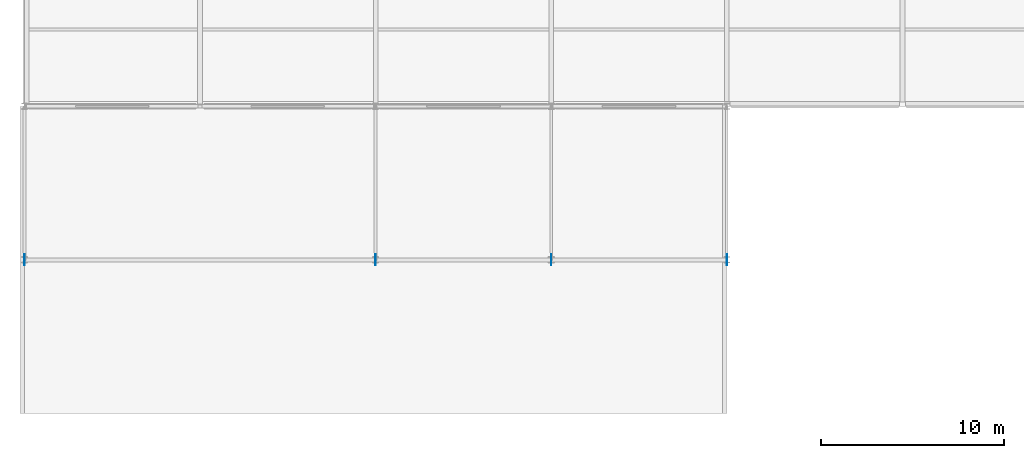
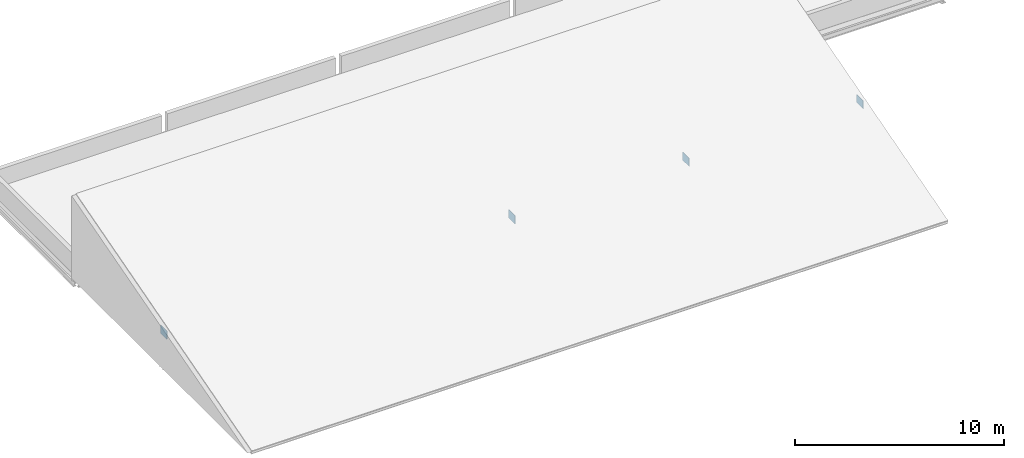
# One storey, part 35 of 52: 4 plates.
"""IFC4 building model written with IfcOpenShell, lengths in metres."""

from ifc_helpers import new_model, si_unit, direction, frame, origin, origin_2d, place, context, subcontext, project, spatial, rectangle, extrude, material, layer, layer_set, type_object, element, save


model = new_model("IFC4")

# Units and contexts
model_context = context("Model", 3, precision=1e-05, world=origin(), true_north=direction((0.0, 1.0)))
body_context = subcontext(model_context, "Body", "Model", "MODEL_VIEW")
ifc_project = project(units=[si_unit("LENGTHUNIT", "METRE"), si_unit("AREAUNIT", "SQUARE_METRE"), si_unit("VOLUMEUNIT", "CUBIC_METRE"), si_unit("PLANEANGLEUNIT", "RADIAN"), si_unit("MASSUNIT", "GRAM", prefix="KILO")], contexts=[model_context])

# Site, building, storey
site_placement = place(None, origin())
site = spatial("IfcSite", under=ifc_project, at=site_placement, CompositionType="ELEMENT")
building_placement = place(site_placement, origin())
building = spatial("IfcBuilding", under=site, at=building_placement, Name="Lornevale Opera House", CompositionType="ELEMENT")
storey_placement = place(building_placement, frame((0.0, 0.0, 15.0)))
storey = spatial("IfcBuildingStorey", under=building, at=storey_placement, Name="L04", CompositionType="ELEMENT", Elevation=15.0)

# Plates
ifc_material = material(Name="Structural Steel CSA G40.21 Grade 350W (350 MPa)", Category="steel")
ifc_layer = layer(ifc_material, 0.02197265625)
ifc_layer_set = layer_set([ifc_layer], Name="Structural Steel CSA G40.21 Grade 350W (350 MPa)")
plate_type = type_object("IfcPlateType", Name="Studio Truss Gusset 600x480x22", PredefinedType="USERDEFINED", material=ifc_layer_set)
for number, where, z_axis, x_axis, name in (
    (1, (0.0, 8.39990234375, 1.639892578125), (0.0, 0.0, 1.0), (0.0, 1.0, 0.0), "Studio Truss Gusset PT-0034"),
    (2, (19.199951171875, 8.39990234375, 1.639892578125), (0.0, 0.0, 1.0), (0.0, 1.0, 0.0), "Studio Truss Gusset PT-0035"),
    (3, (28.800048828125, 8.39990234375, 1.639892578125), (0.0, 0.0, 1.0), (0.0, 1.0, 0.0), "Studio Truss Gusset PT-0036"),
    (4, (38.39990234375, 8.39990234375, 1.639892578125), (0.0, 0.0, 1.0), (0.0, 1.0, 0.0), "Studio Truss Gusset PT-0037"),
):
    element("IfcPlate", number, at=place(storey_placement, frame(where, z_axis=z_axis, x_axis=x_axis)), inside=storey, type_object=plate_type, Name=name, ObjectType="GUSSET PLATE", PredefinedType="USERDEFINED", context=body_context, shape_type="SweptSolid", body=[
        extrude(rectangle(XDim=0.60009765625, YDim=0.02197265625, at=origin_2d()), origin(), (0.0, 0.0, 1.0), 0.47998046875),
    ])

save(model, "model.ifc")
